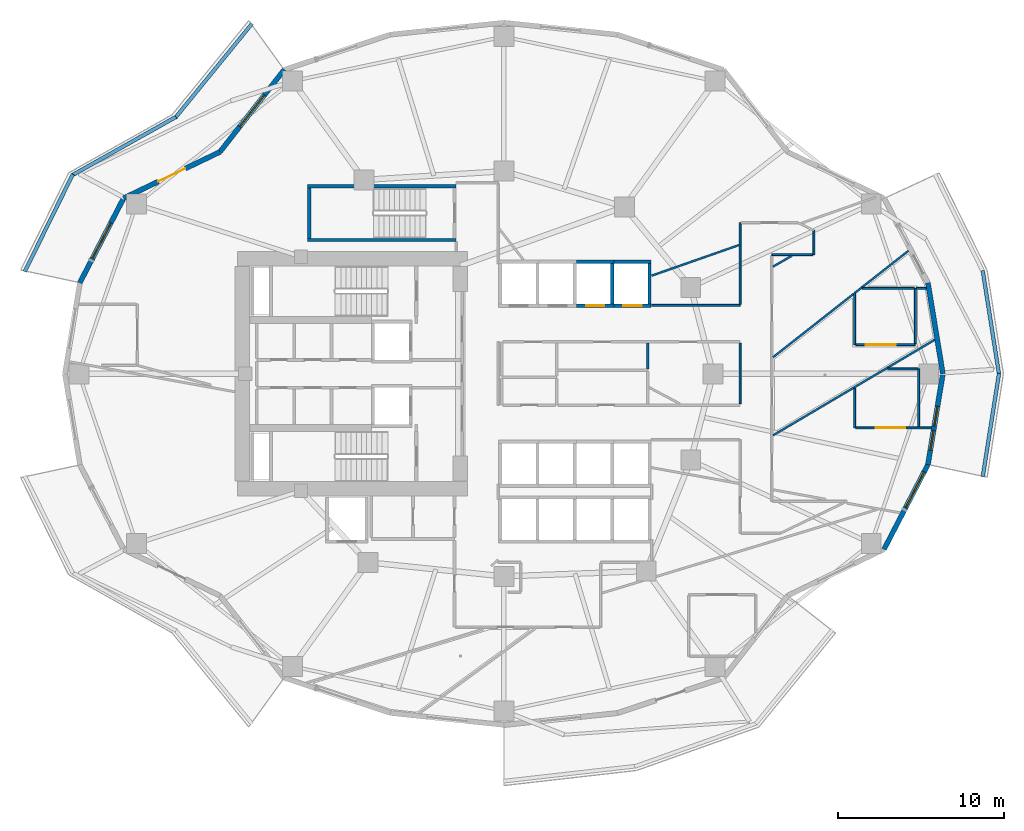
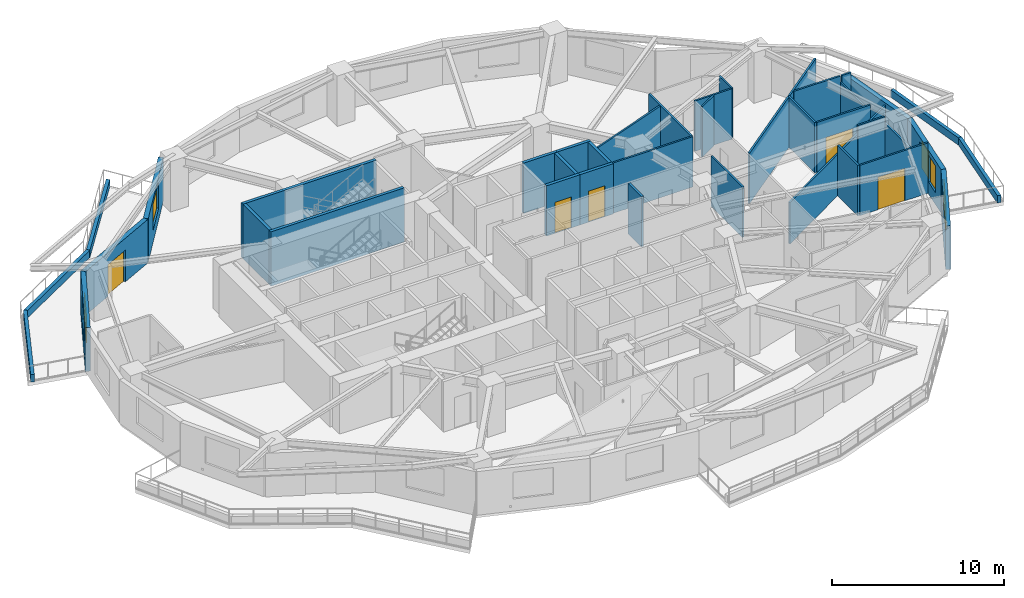
# One storey, part 6 of 15: 40 walls, 5 doors, 5 windows, 10 openings.
"""IFC4 building model written with IfcOpenShell, lengths in metres."""

from ifc_helpers import new_model, si_unit, direction, frame, frame_2d, origin, place, context, subcontext, project, spatial, rectangle, extrude, material, layer, layer_set, type_object, element, fill, save


model = new_model("IFC4")

# Units and contexts
model_context = context("Model", 3, precision=1e-05, world=origin(), true_north=direction((0.0, 1.0)))
body_context = subcontext(model_context, "Body", "Model", "MODEL_VIEW")
ifc_project = project(units=[si_unit("LENGTHUNIT", "METRE"), si_unit("AREAUNIT", "SQUARE_METRE"), si_unit("VOLUMEUNIT", "CUBIC_METRE"), si_unit("PLANEANGLEUNIT", "RADIAN"), si_unit("MASSUNIT", "GRAM", prefix="KILO")], contexts=[model_context])

# Site, building, storey
site_placement = place(None, origin())
site = spatial("IfcSite", under=ifc_project, at=site_placement, CompositionType="ELEMENT")
building_placement = place(site_placement, origin())
building = spatial("IfcBuilding", under=site, at=building_placement, Name="Kolvaren Gate Tower and Convention Centre", CompositionType="ELEMENT")
storey_placement = place(building_placement, frame((0.0, 0.0, 72.699951171875)))
storey = spatial("IfcBuildingStorey", under=building, at=storey_placement, Name="L17", CompositionType="ELEMENT", Elevation=72.699951171875)

# Walls
ifc_material_1 = material(Name="Fire-Rated Acoustic Gypsum Stud Partition", Category="gypsum")
ifc_layer_1 = layer(ifc_material_1, 0.1201171875)
ifc_layer_set_1 = layer_set([ifc_layer_1], Name="Fire-Rated Acoustic Gypsum Stud Partition")
wall_type_1 = type_object("IfcWallType", Name="ARCH-WL-PART-120", PredefinedType="PARTITIONING", material=ifc_layer_set_1)
wall_1_placement = place(storey_placement, frame((39.02001953125, 31.1201171875, 0.0), z_axis=(0.0, 0.0, 1.0), x_axis=(1.0, 0.0, 0.0)))
element("IfcWall", 1, at=wall_1_placement, inside=storey, type_object=wall_type_1, Name="Interior Partition WL-L17-INT-031", PredefinedType="PARTITIONING", context=body_context, shape_type="SweptSolid", body=[
    extrude(rectangle(XDim=5.330078125, YDim=0.1201171875, at=frame_2d((2.6650390625, 0.0))), origin(), (0.0, 0.0, 1.0), 3.570068359375),
])
wall_2_placement = place(storey_placement, frame((44.35009765625, 25.197021484375, 0.0), z_axis=(0.0, 0.0, 1.0), x_axis=(0.0, 1.0, 0.0)))
element("IfcWall", 2, at=wall_2_placement, inside=storey, type_object=wall_type_1, Name="Interior Partition WL-L17-INT-033", PredefinedType="PARTITIONING", context=body_context, shape_type="SweptSolid", body=[
    extrude(rectangle(XDim=3.64599609375, YDim=0.1201171875, at=frame_2d((1.822998046875, 0.0))), origin(), (0.0, 0.0, 1.0), 3.570068359375),
])
wall_3_placement = place(storey_placement, frame((44.35009765625, 31.181884765625, 0.0), z_axis=(0.0, 0.0, 1.0), x_axis=(0.0, 1.0, 0.0)))
element("IfcWall", 3, at=wall_3_placement, inside=storey, type_object=wall_type_1, Name="Interior Partition WL-L17-INT-034", PredefinedType="PARTITIONING", context=body_context, shape_type="SweptSolid", body=[
    extrude(rectangle(XDim=4.918212890625, YDim=0.1201171875, at=frame_2d((2.458984375, 0.0))), origin(), (0.0, 0.0, 1.0), 3.570068359375),
])
wall_4_placement = place(storey_placement, frame((48.800048828125, 34.179931640625, 0.0), z_axis=(0.0, 0.0, 1.0), x_axis=(0.0, 1.0, 0.0)))
element("IfcWall", 4, at=wall_4_placement, inside=storey, type_object=wall_type_1, Name="Interior Partition WL-L17-INT-037", PredefinedType="PARTITIONING", context=body_context, shape_type="SweptSolid", body=[
    extrude(rectangle(XDim=1.451171875, YDim=0.1201171875, at=frame_2d((0.7255859375, 0.0))), origin(), (0.0, 0.0, 1.0), 3.570068359375),
])
wall_5_placement = place(storey_placement, frame((46.27001953125, 34.179931640625, 0.0), z_axis=(0.0, 0.0, 1.0), x_axis=(1.0, 0.0, 0.0)))
element("IfcWall", 5, at=wall_5_placement, inside=storey, type_object=wall_type_1, Name="Interior Partition WL-L17-INT-038", PredefinedType="PARTITIONING", context=body_context, shape_type="SweptSolid", body=[
    extrude(rectangle(XDim=2.468017578125, YDim=0.1201171875, at=frame_2d((1.23388671875, 0.0))), origin(), (0.0, 0.0, 1.0), 3.570068359375),
])
wall_6_placement = place(storey_placement, frame((46.33203125, 23.290283203125, 0.0), z_axis=(0.0, 0.0, 1.0), x_axis=(0.860842745888, 0.508871070953, 0.0)))
element("IfcWall", 6, at=wall_6_placement, inside=storey, type_object=wall_type_1, Name="Interior Partition WL-L17-INT-059", PredefinedType="PARTITIONING", context=body_context, shape_type="SweptSolid", body=[
    extrude(rectangle(XDim=11.31396484375, YDim=0.1201171875, at=frame_2d((5.656982421875, 0.0))), origin(), (0.0, 0.0, 1.0), 2.93408203125),
])
wall_7_placement = place(storey_placement, frame((51.25, 23.75, 0.0), z_axis=(0.0, 0.0, 1.0), x_axis=(0.0, 1.0, 0.0)))
element("IfcWall", 7, at=wall_7_placement, inside=storey, type_object=wall_type_1, Name="Interior Partition WL-L17-INT-060", PredefinedType="PARTITIONING", context=body_context, shape_type="SweptSolid", body=[
    extrude(rectangle(XDim=2.37548828125, YDim=0.1201171875, at=frame_2d((1.187744140625, 0.0))), origin(), (0.0, 0.0, 1.0), 3.570068359375),
])
wall_8_placement = place(storey_placement, frame((51.25, 28.75, 0.0), z_axis=(0.0, 0.0, 1.0), x_axis=(0.0, 1.0, 0.0)))
element("IfcWall", 8, at=wall_8_placement, inside=storey, type_object=wall_type_1, Name="Interior Partition WL-L17-INT-061", PredefinedType="PARTITIONING", context=body_context, shape_type="SweptSolid", body=[
    extrude(rectangle(XDim=3.110107421875, YDim=0.1201171875, at=frame_2d((1.55517578125, 0.0))), origin(), (0.0, 0.0, 1.0), 3.570068359375),
])

# Wall, opening, door
wall_9_placement = place(storey_placement, frame((51.31201171875, 23.75, 0.0), z_axis=(0.0, 0.0, 1.0), x_axis=(1.0, 0.0, 0.0)))
wall_9 = element("IfcWall", 9, at=wall_9_placement, inside=storey, type_object=wall_type_1, Name="Interior Partition WL-L17-INT-062", PredefinedType="PARTITIONING", context=body_context, shape_type="SweptSolid", body=[
    extrude(rectangle(XDim=4.5615234375, YDim=0.1201171875, at=frame_2d((2.28076171875, 0.0))), origin(), (0.0, 0.0, 1.0), 3.570068359375),
])
opening_1_placement = place(wall_9_placement, frame((1.198974609375, 0.0, 0.0)))
opening_1 = element("IfcOpeningElement", 10, at=opening_1_placement, cuts=wall_9, Name="Opening DH-01", PredefinedType="OPENING", context=body_context, shape_type="SweptSolid", body=[
    extrude(rectangle(XDim=1.800048828125, YDim=2.300048828125, at=frame_2d((0.89990234375, 1.14990234375))), frame((0.0, 0.070068359375, 0.0), z_axis=(0.0, -1.0, 0.0), x_axis=(1.0, 0.0, 0.0)), (0.0, 0.0, 1.0), 0.14013671875),
])
ifc_material_2 = material(Name="FSC Andean Oak Engineered Veneer Door Leaf", Category="wood")
door_type_1 = type_object("IfcDoorType", Name="ARCH-DR-HALL-1800", OperationType="DOUBLE_DOOR_SINGLE_SWING", PredefinedType="DOOR", material=ifc_material_2)
door_1_placement = place(opening_1_placement, origin())
door_1 = element("IfcDoor", 11, at=door_1_placement, inside=storey, type_object=door_type_1, Name="Consultation Meeting Room Door", OperationType="DOUBLE_DOOR_SINGLE_SWING", OverallHeight=2.300048828125, OverallWidth=1.800048828125, PredefinedType="DOOR", context=body_context, shape_type="SweptSolid", body=[
    extrude(rectangle(XDim=1.800048828125, YDim=2.300048828125, at=frame_2d((0.89990234375, 1.14990234375))), frame((0.0, 0.02490234375, 0.0), z_axis=(0.0, -1.0, 0.0), x_axis=(1.0, 0.0, 0.0)), (0.0, 0.0, 1.0), 0.050048828125),
])
fill(opening_1, door_1)

# Walls
wall_10_placement = place(storey_placement, frame((55.10009765625, 23.81201171875, 0.0), z_axis=(0.0, 0.0, 1.0), x_axis=(0.0, 1.0, 0.0)))
element("IfcWall", 12, at=wall_10_placement, inside=storey, type_object=wall_type_1, Name="Interior Partition WL-L17-INT-063", PredefinedType="PARTITIONING", context=body_context, shape_type="SweptSolid", body=[
    extrude(rectangle(XDim=3.488037109375, YDim=0.1201171875, at=frame_2d((1.744140625, 0.0))), origin(), (0.0, 0.0, 1.0), 3.093017578125),
])
wall_11_placement = place(storey_placement, frame((53.23681640625, 27.300048828125, 0.0), z_axis=(0.0, 0.0, 1.0), x_axis=(1.0, 0.0, 0.0)))
element("IfcWall", 13, at=wall_11_placement, inside=storey, type_object=wall_type_1, Name="Interior Partition WL-L17-INT-064", PredefinedType="PARTITIONING", context=body_context, shape_type="SweptSolid", body=[
    extrude(rectangle(XDim=1.80126953125, YDim=0.1201171875, at=frame_2d((0.900634765625, 0.0))), origin(), (0.0, 0.0, 1.0), 3.570068359375),
])
wall_12_placement = place(storey_placement, frame((46.33203125, 27.99560546875, 0.0), z_axis=(0.0, 0.0, 1.0), x_axis=(0.786296389823, 0.617849486, 0.0)))
element("IfcWall", 14, at=wall_12_placement, inside=storey, type_object=wall_type_1, Name="Interior Partition WL-L17-INT-066", PredefinedType="PARTITIONING", context=body_context, shape_type="SweptSolid", body=[
    extrude(rectangle(XDim=6.17578125, YDim=0.1201171875, at=frame_2d((3.087890625, 0.0))), origin(), (0.0, 0.0, 1.0), 3.570068359375),
])
wall_13_placement = place(storey_placement, frame((51.25, 31.860107421875, 0.0), z_axis=(0.0, 0.0, 1.0), x_axis=(0.786318338822, 0.617821551932, 0.0)))
element("IfcWall", 15, at=wall_13_placement, inside=storey, type_object=wall_type_1, Name="Interior Partition WL-L17-INT-066 (2)", PredefinedType="PARTITIONING", context=body_context, shape_type="SweptSolid", body=[
    extrude(rectangle(XDim=4.120849609375, YDim=0.1201171875, at=frame_2d((2.060546875, 0.0))), origin(), (0.0, 0.0, 1.0), 3.570068359375),
])

# Wall, opening, door
wall_14_placement = place(storey_placement, frame((51.31201171875, 28.75, 0.0), z_axis=(0.0, 0.0, 1.0), x_axis=(1.0, 0.0, 0.0)))
wall_14 = element("IfcWall", 16, at=wall_14_placement, inside=storey, type_object=wall_type_1, Name="Interior Partition WL-L17-INT-067", PredefinedType="PARTITIONING", context=body_context, shape_type="SweptSolid", body=[
    extrude(rectangle(XDim=3.587890625, YDim=0.1201171875, at=frame_2d((1.7939453125, 0.0))), origin(), (0.0, 0.0, 1.0), 3.570068359375),
])
opening_2_placement = place(wall_14_placement, frame((0.614013671875, 0.0, 0.0)))
opening_2 = element("IfcOpeningElement", 17, at=opening_2_placement, cuts=wall_14, Name="Opening DH-01", PredefinedType="OPENING", context=body_context, shape_type="SweptSolid", body=[
    extrude(rectangle(XDim=1.800048828125, YDim=2.300048828125, at=frame_2d((0.89990234375, 1.14990234375))), frame((0.0, 0.070068359375, 0.0), z_axis=(0.0, -1.0, 0.0), x_axis=(1.0, 0.0, 0.0)), (0.0, 0.0, 1.0), 0.14013671875),
])
door_2_placement = place(opening_2_placement, origin())
door_2 = element("IfcDoor", 18, at=door_2_placement, inside=storey, type_object=door_type_1, Name="Consultation Meeting Room Door", OperationType="DOUBLE_DOOR_SINGLE_SWING", OverallHeight=2.300048828125, OverallWidth=1.800048828125, PredefinedType="DOOR", context=body_context, shape_type="SweptSolid", body=[
    extrude(rectangle(XDim=1.800048828125, YDim=2.300048828125, at=frame_2d((0.89990234375, 1.14990234375))), frame((0.0, 0.02490234375, 0.0), z_axis=(0.0, -1.0, 0.0), x_axis=(1.0, 0.0, 0.0)), (0.0, 0.0, 1.0), 0.050048828125),
])
fill(opening_2, door_2)

# Walls
wall_15_placement = place(storey_placement, frame((54.89990234375, 28.81201171875, 0.0), z_axis=(0.0, 0.0, 1.0), x_axis=(0.0, 1.0, 0.0)))
element("IfcWall", 19, at=wall_15_placement, inside=storey, type_object=wall_type_1, Name="Interior Partition WL-L17-INT-068", PredefinedType="PARTITIONING", context=body_context, shape_type="SweptSolid", body=[
    extrude(rectangle(XDim=3.337890625, YDim=0.1201171875, at=frame_2d((1.6689453125, 0.0))), origin(), (0.0, 0.0, 1.0), 3.093017578125),
])
wall_16_placement = place(storey_placement, frame((51.719482421875, 32.14990234375, 0.0), z_axis=(0.0, 0.0, 1.0), x_axis=(1.0, 0.0, 0.0)))
element("IfcWall", 20, at=wall_16_placement, inside=storey, type_object=wall_type_1, Name="Interior Partition WL-L17-INT-069", PredefinedType="PARTITIONING", context=body_context, shape_type="SweptSolid", body=[
    extrude(rectangle(XDim=3.118408203125, YDim=0.1201171875, at=frame_2d((1.55908203125, 0.0))), origin(), (0.0, 0.0, 1.0), 3.570068359375),
])
wall_17_placement = place(storey_placement, frame((54.9619140625, 32.14990234375, 0.0), z_axis=(0.0, 0.0, 1.0), x_axis=(1.0, 0.0, 0.0)))
element("IfcWall", 21, at=wall_17_placement, inside=storey, type_object=wall_type_1, Name="Interior Partition WL-L17-INT-069 (2)", PredefinedType="PARTITIONING", context=body_context, shape_type="SweptSolid", body=[
    extrude(rectangle(XDim=0.59912109375, YDim=0.1201171875, at=frame_2d((0.299560546875, 0.0))), origin(), (0.0, 0.0, 1.0), 3.570068359375),
])
wall_18_placement = place(storey_placement, frame((46.33203125, 33.44970703125, 0.0), z_axis=(0.0, 0.0, 1.0), x_axis=(0.866042617247, 0.499970184224, 0.0)))
element("IfcWall", 22, at=wall_18_placement, inside=storey, type_object=wall_type_1, Name="Interior Partition WL-L17-INT-070", PredefinedType="PARTITIONING", context=body_context, shape_type="SweptSolid", body=[
    extrude(rectangle(XDim=1.33642578125, YDim=0.1201171875, at=frame_2d((0.668212890625, 0.0))), origin(), (0.0, 0.0, 1.0), 3.570068359375),
])
wall_19_placement = place(storey_placement, frame((39.02001953125, 32.90771484375, 0.0), z_axis=(0.0, 0.0, 1.0), x_axis=(0.943794240421, 0.330533556162, 0.0)))
element("IfcWall", 23, at=wall_19_placement, inside=storey, type_object=wall_type_1, Name="Interior Partition WL-L17-INT-071", PredefinedType="PARTITIONING", context=body_context, shape_type="SweptSolid", body=[
    extrude(rectangle(XDim=5.581787109375, YDim=0.1201171875, at=frame_2d((2.791015625, 0.0))), origin(), (0.0, 0.0, 1.0), 3.570068359375),
])
ifc_material_3 = material(Name="Piedmont Cream Honed Limestone Cladding", Category="masonry")
ifc_layer_2 = layer(ifc_material_3, 0.219970703125)
ifc_layer_set_2 = layer_set([ifc_layer_2], Name="Piedmont Cream Honed Limestone Cladding")
wall_type_2 = type_object("IfcWallType", Name="ARCH-WL-PLANTER-220", PredefinedType="PARAPET", material=ifc_layer_set_2)
wall_20_placement = place(storey_placement, frame((10.335693359375, 42.411376953125, 0.0), z_axis=(0.0, 0.0, 1.0), x_axis=(0.631819273026, 0.775115737315, 0.0)))
element("IfcWall", 24, at=wall_20_placement, inside=storey, type_object=wall_type_2, Name="Vertical-Forest Balcony Stone Planter Kerb PK-L17-1.1", PredefinedType="PARAPET", context=body_context, shape_type="SweptSolid", body=[
    extrude(rectangle(XDim=7.31591796875, YDim=0.219970703125, at=frame_2d((3.657958984375, 0.0))), origin(), (0.0, 0.0, 1.0), 0.52001953125),
])
wall_21_placement = place(storey_placement, frame((4.14697265625, 38.965576171875, 0.0), z_axis=(0.0, 0.0, 1.0), x_axis=(0.871775109335, 0.489906275468, 0.0)))
element("IfcWall", 25, at=wall_21_placement, inside=storey, type_object=wall_type_2, Name="Vertical-Forest Balcony Stone Planter Kerb PK-L17-1.2", PredefinedType="PARAPET", context=body_context, shape_type="SweptSolid", body=[
    extrude(rectangle(XDim=7.152099609375, YDim=0.219970703125, at=frame_2d((3.576171875, 0.0))), origin(), (0.0, 0.0, 1.0), 0.52001953125),
])
wall_22_placement = place(storey_placement, frame((1.275390625, 33.153076171875, 0.0), z_axis=(0.0, 0.0, 1.0), x_axis=(0.442686636348, 0.89667638644, 0.0)))
element("IfcWall", 26, at=wall_22_placement, inside=storey, type_object=wall_type_2, Name="Vertical-Forest Balcony Stone Planter Kerb PK-L17-1.3", PredefinedType="PARAPET", context=body_context, shape_type="SweptSolid", body=[
    extrude(rectangle(XDim=6.544677734375, YDim=0.219970703125, at=frame_2d((3.2724609375, 0.0))), origin(), (0.0, 0.0, 1.0), 0.52001953125),
])
for number, where, z_axis, x_axis, name in (
    (27, (58.9619140625, 20.7880859375, 0.0), (0.0, 0.0, 1.0), (0.15545655238, 0.987842730561, 0.0), "Vertical-Forest Balcony Stone Planter Kerb PK-L17-4.1"),
    (28, (58.9619140625, 33.2119140625, 0.0), (0.0, 0.0, 1.0), (0.15545655238, -0.987842730561, 0.0), "Vertical-Forest Balcony Stone Planter Kerb PK-L17-4.2"),
):
    element("IfcWall", number, at=place(storey_placement, frame(where, z_axis=z_axis, x_axis=x_axis)), inside=storey, type_object=wall_type_2, Name=name, PredefinedType="PARAPET", context=body_context, shape_type="SweptSolid", body=[
        extrude(rectangle(XDim=6.318115234375, YDim=0.219970703125, at=frame_2d((3.1591796875, 0.0))), origin(), (0.0, 0.0, 1.0), 0.52001953125),
    ])
ifc_material_4 = material(Name="Autoclaved Aerated Masonry Blockwork Class 4 (4.0 MPa)", Category="masonry")
ifc_layer_3 = layer(ifc_material_4, 0.199951171875)
ifc_layer_set_3 = layer_set([ifc_layer_3], Name="Autoclaved Aerated Masonry Blockwork Class 4 (4.0 MPa)")
wall_type_3 = type_object("IfcWallType", Name="ARCH-WL-SHAFT-200", PredefinedType="SOLIDWALL", material=ifc_layer_set_3)
wall_23_placement = place(storey_placement, frame((34.5, 33.75, 0.0), z_axis=(0.0, 0.0, 1.0), x_axis=(1.0, 0.0, 0.0)))
element("IfcWall", 29, at=wall_23_placement, inside=storey, type_object=wall_type_3, Name="Elevator PL-03 L17 Fire Shaft Wall N", PredefinedType="SOLIDWALL", context=body_context, shape_type="SweptSolid", body=[
    extrude(rectangle(XDim=2.25, YDim=0.199951171875, at=frame_2d((1.125, 0.0))), origin(), (0.0, 0.0, 1.0), 3.570068359375),
])

# Wall, opening, door
wall_24_placement = place(storey_placement, frame((34.5, 31.10009765625, 0.0), z_axis=(0.0, 0.0, 1.0), x_axis=(1.0, 0.0, 0.0)))
wall_24 = element("IfcWall", 30, at=wall_24_placement, inside=storey, type_object=wall_type_3, Name="Elevator PL-03 L17 Fire Shaft Wall S", PredefinedType="SOLIDWALL", context=body_context, shape_type="SweptSolid", body=[
    extrude(rectangle(XDim=2.25, YDim=0.199951171875, at=frame_2d((1.125, 0.0))), origin(), (0.0, 0.0, 1.0), 3.570068359375),
])
opening_3_placement = place(wall_24_placement, frame((0.574951171875, 0.0, 0.0)))
opening_3 = element("IfcOpeningElement", 31, at=opening_3_placement, cuts=wall_24, Name="Opening LD", PredefinedType="OPENING", context=body_context, shape_type="SweptSolid", body=[
    extrude(rectangle(XDim=1.10009765625, YDim=2.199951171875, at=frame_2d((0.550048828125, 1.10009765625))), frame((0.0, 0.10986328125, 0.0), z_axis=(0.0, -1.0, 0.0), x_axis=(1.0, 0.0, 0.0)), (0.0, 0.0, 1.0), 0.219970703125),
])
ifc_material_5 = material(Name="Brushed Stainless Steel Grade 316L", Category="steel")
door_type_2 = type_object("IfcDoorType", Name="ARCH-DR-LIFT-1100", OperationType="SLIDING_TO_LEFT", PredefinedType="DOOR", material=ifc_material_5)
door_3_placement = place(opening_3_placement, origin())
door_3 = element("IfcDoor", 32, at=door_3_placement, inside=storey, type_object=door_type_2, Name="Elevator PL-03 L17 Sliding Landing Door", OperationType="SLIDING_TO_LEFT", OverallHeight=2.199951171875, OverallWidth=1.10009765625, PredefinedType="DOOR", context=body_context, shape_type="SweptSolid", body=[
    extrude(rectangle(XDim=1.10009765625, YDim=2.199951171875, at=frame_2d((0.550048828125, 1.10009765625))), frame((0.0, 0.02490234375, 0.0), z_axis=(0.0, -1.0, 0.0), x_axis=(1.0, 0.0, 0.0)), (0.0, 0.0, 1.0), 0.050048828125),
])
fill(opening_3, door_3)

# Walls
wall_25_placement = place(storey_placement, frame((36.64990234375, 31.2099609375, 0.0), z_axis=(0.0, 0.0, 1.0), x_axis=(0.0, 1.0, 0.0)))
element("IfcWall", 33, at=wall_25_placement, inside=storey, type_object=wall_type_3, Name="Elevator PL-03 L17 Fire Shaft Wall E", PredefinedType="SOLIDWALL", context=body_context, shape_type="SweptSolid", body=[
    extrude(rectangle(XDim=2.429931640625, YDim=0.199951171875, at=frame_2d((1.21484375, 0.0))), origin(), (0.0, 0.0, 1.0), 3.570068359375),
])
wall_26_placement = place(storey_placement, frame((36.75, 33.75, 0.0), z_axis=(0.0, 0.0, 1.0), x_axis=(1.0, 0.0, 0.0)))
element("IfcWall", 34, at=wall_26_placement, inside=storey, type_object=wall_type_3, Name="Elevator PL-04 L17 Fire Shaft Wall N", PredefinedType="SOLIDWALL", context=body_context, shape_type="SweptSolid", body=[
    extrude(rectangle(XDim=2.25, YDim=0.199951171875, at=frame_2d((1.125, 0.0))), origin(), (0.0, 0.0, 1.0), 3.570068359375),
])

# Wall, opening, door
wall_27_placement = place(storey_placement, frame((36.75, 31.10009765625, 0.0), z_axis=(0.0, 0.0, 1.0), x_axis=(1.0, 0.0, 0.0)))
wall_27 = element("IfcWall", 35, at=wall_27_placement, inside=storey, type_object=wall_type_3, Name="Elevator PL-04 L17 Fire Shaft Wall S", PredefinedType="SOLIDWALL", context=body_context, shape_type="SweptSolid", body=[
    extrude(rectangle(XDim=2.25, YDim=0.199951171875, at=frame_2d((1.125, 0.0))), origin(), (0.0, 0.0, 1.0), 3.570068359375),
])
opening_4_placement = place(wall_27_placement, frame((0.574951171875, 0.0, 0.0)))
opening_4 = element("IfcOpeningElement", 36, at=opening_4_placement, cuts=wall_27, Name="Opening LD", PredefinedType="OPENING", context=body_context, shape_type="SweptSolid", body=[
    extrude(rectangle(XDim=1.10009765625, YDim=2.199951171875, at=frame_2d((0.550048828125, 1.10009765625))), frame((0.0, 0.10986328125, 0.0), z_axis=(0.0, -1.0, 0.0), x_axis=(1.0, 0.0, 0.0)), (0.0, 0.0, 1.0), 0.219970703125),
])
door_4_placement = place(opening_4_placement, origin())
door_4 = element("IfcDoor", 37, at=door_4_placement, inside=storey, type_object=door_type_2, Name="Elevator PL-04 L17 Sliding Landing Door", OperationType="SLIDING_TO_LEFT", OverallHeight=2.199951171875, OverallWidth=1.10009765625, PredefinedType="DOOR", context=body_context, shape_type="SweptSolid", body=[
    extrude(rectangle(XDim=1.10009765625, YDim=2.199951171875, at=frame_2d((0.550048828125, 1.10009765625))), frame((0.0, 0.02490234375, 0.0), z_axis=(0.0, -1.0, 0.0), x_axis=(1.0, 0.0, 0.0)), (0.0, 0.0, 1.0), 0.050048828125),
])
fill(opening_4, door_4)

# Walls
wall_28_placement = place(storey_placement, frame((38.89990234375, 31.2099609375, 0.0), z_axis=(0.0, 0.0, 1.0), x_axis=(0.0, 1.0, 0.0)))
element("IfcWall", 38, at=wall_28_placement, inside=storey, type_object=wall_type_3, Name="Elevator PL-04 L17 Fire Shaft Wall E", PredefinedType="SOLIDWALL", context=body_context, shape_type="SweptSolid", body=[
    extrude(rectangle(XDim=2.429931640625, YDim=0.199951171875, at=frame_2d((1.21484375, 0.0))), origin(), (0.0, 0.0, 1.0), 3.570068359375),
])
ifc_layer_4 = layer(ifc_material_3, 0.300048828125)
ifc_layer_set_4 = layer_set([ifc_layer_4], Name="Piedmont Cream Honed Limestone Cladding")
wall_type_4 = type_object("IfcWallType", Name="ARCH-WL-STONE-300", PredefinedType="SOLIDWALL", material=ifc_layer_set_4)
wall_29_placement = place(storey_placement, frame((55.66162109375, 32.47412109375, 0.0), z_axis=(0.0, 0.0, 1.0), x_axis=(0.162386212206, -0.986727276447, 0.0)))
element("IfcWall", 39, at=wall_29_placement, inside=storey, type_object=wall_type_4, Name="Tower L17 Honed Stone Spandrel Wall EW-00", PredefinedType="SOLIDWALL", context=body_context, shape_type="SweptSolid", body=[
    extrude(rectangle(XDim=5.5478515625, YDim=0.300048828125, at=frame_2d((2.77392578125, 0.0))), origin(), (0.0, 0.0, 1.0), 3.093017578125),
])

# Wall, opening, window
wall_30_placement = place(storey_placement, frame((13.026123046875, 40.360107421875, 0.0), z_axis=(0.0, 0.0, 1.0), x_axis=(0.616434798832, 0.78740595552, 0.0)))
wall_30 = element("IfcWall", 40, at=wall_30_placement, inside=storey, type_object=wall_type_4, Name="Tower L17 Honed Stone Spandrel Wall EW-08", PredefinedType="SOLIDWALL", context=body_context, shape_type="SweptSolid", body=[
    extrude(rectangle(XDim=6.29443359375, YDim=0.300048828125, at=frame_2d((3.147216796875, 0.0))), origin(), (0.0, 0.0, 1.0), 3.093017578125),
])
opening_5_placement = place(wall_30_placement, frame((1.947021484375, 0.0, 0.85009765625)))
opening_5 = element("IfcOpeningElement", 41, at=opening_5_placement, cuts=wall_30, Name="Opening W-01", PredefinedType="OPENING", context=body_context, shape_type="SweptSolid", body=[
    extrude(rectangle(XDim=2.39990234375, YDim=1.89990234375, at=frame_2d((1.199951171875, 0.949951171875))), frame((0.0, 0.159912109375, 0.0), z_axis=(0.0, -1.0, 0.0), x_axis=(1.0, 0.0, 0.0)), (0.0, 0.0, 1.0), 0.320068359375),
])
ifc_material_6 = material(Name="Low-E Triple Insulated Glazing Unit 44 mm", Category="glass")
window_type_1 = type_object("IfcWindowType", Name="ARCH-WN-OFF-2400", PartitioningType="SINGLE_PANEL", PredefinedType="WINDOW", material=ifc_material_6)
window_1_placement = place(opening_5_placement, origin())
window_1 = element("IfcWindow", 42, at=window_1_placement, inside=storey, type_object=window_type_1, Name="Tower L17 Punched Stone Facade Window W-08", OverallHeight=1.89990234375, OverallWidth=2.39990234375, PartitioningType="SINGLE_PANEL", PredefinedType="WINDOW", context=body_context, shape_type="SweptSolid", body=[
    extrude(rectangle(XDim=2.39990234375, YDim=1.89990234375, at=frame_2d((1.199951171875, 0.949951171875))), frame((0.0, 0.030029296875, 0.0), z_axis=(0.0, -1.0, 0.0), x_axis=(1.0, 0.0, 0.0)), (0.0, 0.0, 1.0), 0.06005859375),
])
fill(opening_5, window_1)

# Wall, opening, door
wall_31_placement = place(storey_placement, frame((7.2294921875, 37.574951171875, 0.0), z_axis=(0.0, 0.0, 1.0), x_axis=(0.901354747727, 0.433081538224, 0.0)))
wall_31 = element("IfcWall", 43, at=wall_31_placement, inside=storey, type_object=wall_type_4, Name="Tower L17 Honed Stone Spandrel Wall EW-09", PredefinedType="SOLIDWALL", context=body_context, shape_type="SweptSolid", body=[
    extrude(rectangle(XDim=6.430908203125, YDim=0.300048828125, at=frame_2d((3.21533203125, 0.0))), origin(), (0.0, 0.0, 1.0), 3.093017578125),
])
opening_6_placement = place(wall_31_placement, frame((2.31494140625, 0.0, 0.0)))
opening_6 = element("IfcOpeningElement", 44, at=opening_6_placement, cuts=wall_31, Name="Opening DB-01", PredefinedType="OPENING", context=body_context, shape_type="SweptSolid", body=[
    extrude(rectangle(XDim=1.800048828125, YDim=2.25, at=frame_2d((0.89990234375, 1.125))), frame((0.0, 0.159912109375, 0.0), z_axis=(0.0, -1.0, 0.0), x_axis=(1.0, 0.0, 0.0)), (0.0, 0.0, 1.0), 0.320068359375),
])
ifc_material_7 = material(Name="Anodized Architectural Aluminium Alloy 6063-T6", Category="aluminium")
door_type_3 = type_object("IfcDoorType", Name="ARCH-DR-BALC-1800", OperationType="SLIDING_TO_LEFT", PredefinedType="DOOR", material=ifc_material_7)
door_5_placement = place(opening_6_placement, origin())
door_5 = element("IfcDoor", 45, at=door_5_placement, inside=storey, type_object=door_type_3, Name="Planted Sky Terrace Access Door DB-L17-09", OperationType="SLIDING_TO_LEFT", OverallHeight=2.25, OverallWidth=1.800048828125, PredefinedType="DOOR", context=body_context, shape_type="SweptSolid", body=[
    extrude(rectangle(XDim=1.800048828125, YDim=2.25, at=frame_2d((0.89990234375, 1.125))), frame((0.0, 0.02490234375, 0.0), z_axis=(0.0, -1.0, 0.0), x_axis=(1.0, 0.0, 0.0)), (0.0, 0.0, 1.0), 0.050048828125),
])
fill(opening_6, door_5)

# Wall, opening, window
wall_32_placement = place(storey_placement, frame((4.58837890625, 32.47412109375, 0.0), z_axis=(0.0, 0.0, 1.0), x_axis=(0.459800981414, 0.888021991558, 0.0)))
wall_32 = element("IfcWall", 46, at=wall_32_placement, inside=storey, type_object=wall_type_4, Name="Tower L17 Honed Stone Spandrel Wall EW-10", PredefinedType="SOLIDWALL", context=body_context, shape_type="SweptSolid", body=[
    extrude(rectangle(XDim=5.744140625, YDim=0.300048828125, at=frame_2d((2.8720703125, 0.0))), origin(), (0.0, 0.0, 1.0), 3.093017578125),
])
opening_7_placement = place(wall_32_placement, frame((1.672119140625, 0.0, 0.85009765625)))
opening_7 = element("IfcOpeningElement", 47, at=opening_7_placement, cuts=wall_32, Name="Opening W-01", PredefinedType="OPENING", context=body_context, shape_type="SweptSolid", body=[
    extrude(rectangle(XDim=2.39990234375, YDim=1.89990234375, at=frame_2d((1.199951171875, 0.949951171875))), frame((0.0, 0.159912109375, 0.0), z_axis=(0.0, -1.0, 0.0), x_axis=(1.0, 0.0, 0.0)), (0.0, 0.0, 1.0), 0.320068359375),
])
window_2_placement = place(opening_7_placement, origin())
window_2 = element("IfcWindow", 48, at=window_2_placement, inside=storey, type_object=window_type_1, Name="Tower L17 Punched Stone Facade Window W-10", OverallHeight=1.89990234375, OverallWidth=2.39990234375, PartitioningType="SINGLE_PANEL", PredefinedType="WINDOW", context=body_context, shape_type="SweptSolid", body=[
    extrude(rectangle(XDim=2.39990234375, YDim=1.89990234375, at=frame_2d((1.199951171875, 0.949951171875))), frame((0.0, 0.030029296875, 0.0), z_axis=(0.0, -1.0, 0.0), x_axis=(1.0, 0.0, 0.0)), (0.0, 0.0, 1.0), 0.06005859375),
])
fill(opening_7, window_2)

wall_33_placement = place(storey_placement, frame((53.0205078125, 16.425048828125, 0.0), z_axis=(0.0, 0.0, 1.0), x_axis=(0.459800981414, 0.888021991558, 0.0)))
wall_33 = element("IfcWall", 49, at=wall_33_placement, inside=storey, type_object=wall_type_4, Name="Tower L17 Honed Stone Spandrel Wall EW-22", PredefinedType="SOLIDWALL", context=body_context, shape_type="SweptSolid", body=[
    extrude(rectangle(XDim=5.744140625, YDim=0.300048828125, at=frame_2d((2.8720703125, 0.0))), origin(), (0.0, 0.0, 1.0), 3.093017578125),
])
opening_8_placement = place(wall_33_placement, frame((2.85009765625, 0.0, 0.85009765625)))
opening_8 = element("IfcOpeningElement", 50, at=opening_8_placement, cuts=wall_33, Name="Opening W-01", PredefinedType="OPENING", context=body_context, shape_type="SweptSolid", body=[
    extrude(rectangle(XDim=2.39990234375, YDim=1.89990234375, at=frame_2d((1.199951171875, 0.949951171875))), frame((0.0, 0.159912109375, 0.0), z_axis=(0.0, -1.0, 0.0), x_axis=(1.0, 0.0, 0.0)), (0.0, 0.0, 1.0), 0.320068359375),
])
window_3_placement = place(opening_8_placement, origin())
window_3 = element("IfcWindow", 51, at=window_3_placement, inside=storey, type_object=window_type_1, Name="Tower L17 Punched Stone Facade Window W-22", OverallHeight=1.89990234375, OverallWidth=2.39990234375, PartitioningType="SINGLE_PANEL", PredefinedType="WINDOW", context=body_context, shape_type="SweptSolid", body=[
    extrude(rectangle(XDim=2.39990234375, YDim=1.89990234375, at=frame_2d((1.199951171875, 0.949951171875))), frame((0.0, 0.030029296875, 0.0), z_axis=(0.0, -1.0, 0.0), x_axis=(1.0, 0.0, 0.0)), (0.0, 0.0, 1.0), 0.06005859375),
])
fill(opening_8, window_3)

# Wall, openings, windows
wall_34_placement = place(storey_placement, frame((55.66162109375, 21.52587890625, 0.0), z_axis=(0.0, 0.0, 1.0), x_axis=(0.162386212206, 0.986727276447, 0.0)))
wall_34 = element("IfcWall", 52, at=wall_34_placement, inside=storey, type_object=wall_type_4, Name="Tower L17 Honed Stone Spandrel Wall EW-23", PredefinedType="SOLIDWALL", context=body_context, shape_type="SweptSolid", body=[
    extrude(rectangle(XDim=5.5478515625, YDim=0.300048828125, at=frame_2d((2.77392578125, 0.0))), origin(), (0.0, 0.0, 1.0), 3.093017578125),
])
opening_9_placement = place(wall_34_placement, frame((0.888427734375, 0.0, 0.85009765625)))
opening_9 = element("IfcOpeningElement", 53, at=opening_9_placement, cuts=wall_34, Name="Opening W-04", PredefinedType="OPENING", context=body_context, shape_type="SweptSolid", body=[
    extrude(rectangle(XDim=1.199951171875, YDim=1.89990234375, at=frame_2d((0.60009765625, 0.949951171875))), frame((0.0, 0.159912109375, 0.0), z_axis=(0.0, -1.0, 0.0), x_axis=(1.0, 0.0, 0.0)), (0.0, 0.0, 1.0), 0.320068359375),
])
opening_10_placement = place(wall_34_placement, frame((2.35888671875, 0.0, 0.85009765625)))
opening_10 = element("IfcOpeningElement", 54, at=opening_10_placement, cuts=wall_34, Name="Opening W-04", PredefinedType="OPENING", context=body_context, shape_type="SweptSolid", body=[
    extrude(rectangle(XDim=1.199951171875, YDim=1.89990234375, at=frame_2d((0.60009765625, 0.949951171875))), frame((0.0, 0.159912109375, 0.0), z_axis=(0.0, -1.0, 0.0), x_axis=(1.0, 0.0, 0.0)), (0.0, 0.0, 1.0), 0.320068359375),
])
window_type_2 = type_object("IfcWindowType", Name="ARCH-WN-NARROW-1200", PartitioningType="SINGLE_PANEL", PredefinedType="WINDOW", material=ifc_material_6)
window_4_placement = place(opening_9_placement, origin())
window_4 = element("IfcWindow", 55, at=window_4_placement, inside=storey, type_object=window_type_2, Name="Tower L17 Punched Stone Facade Window W-23", OverallHeight=1.89990234375, OverallWidth=1.199951171875, PartitioningType="SINGLE_PANEL", PredefinedType="WINDOW", context=body_context, shape_type="SweptSolid", body=[
    extrude(rectangle(XDim=1.199951171875, YDim=1.89990234375, at=frame_2d((0.60009765625, 0.949951171875))), frame((0.0, 0.030029296875, 0.0), z_axis=(0.0, -1.0, 0.0), x_axis=(1.0, 0.0, 0.0)), (0.0, 0.0, 1.0), 0.06005859375),
])
fill(opening_9, window_4)
window_5_placement = place(opening_10_placement, origin())
window_5 = element("IfcWindow", 56, at=window_5_placement, inside=storey, type_object=window_type_2, Name="Tower L17 Punched Stone Facade Window W-23B", OverallHeight=1.89990234375, OverallWidth=1.199951171875, PartitioningType="SINGLE_PANEL", PredefinedType="WINDOW", context=body_context, shape_type="SweptSolid", body=[
    extrude(rectangle(XDim=1.199951171875, YDim=1.89990234375, at=frame_2d((0.60009765625, 0.949951171875))), frame((0.0, 0.030029296875, 0.0), z_axis=(0.0, -1.0, 0.0), x_axis=(1.0, 0.0, 0.0)), (0.0, 0.0, 1.0), 0.06005859375),
])
fill(opening_10, window_5)

# Walls
ifc_material_8 = material(Name="Moisture-Resistant Cement-Board Acoustic Partition", Category="gypsum")
ifc_layer_5 = layer(ifc_material_8, 0.14990234375)
ifc_layer_set_5 = layer_set([ifc_layer_5], Name="Moisture-Resistant Cement-Board Acoustic Partition")
wall_type_5 = type_object("IfcWallType", Name="ARCH-WL-WET-150", PredefinedType="PARTITIONING", material=ifc_layer_set_5)
wall_35_placement = place(storey_placement, frame((38.800048828125, 27.297119140625, 0.0), z_axis=(0.0, 0.0, 1.0), x_axis=(0.0, 1.0, 0.0)))
element("IfcWall", 57, at=wall_35_placement, inside=storey, type_object=wall_type_5, Name="Interior Partition WL-L17-INT-021 (2)", PredefinedType="PARTITIONING", context=body_context, shape_type="SweptSolid", body=[
    extrude(rectangle(XDim=1.5458984375, YDim=0.14990234375, at=frame_2d((0.77294921875, 0.0))), origin(), (0.0, 0.0, 1.0), 3.570068359375),
])
ifc_material_9 = material(Name="Concrete C50/60", Category="concrete")
ifc_layer_6 = layer(ifc_material_9, 0.199951171875)
ifc_layer_set_6 = layer_set([ifc_layer_6], Name="Concrete C50/60")
wall_type_6 = type_object("IfcWallType", Name="STR-WL-SHAFT-200", PredefinedType="SHEAR", material=ifc_layer_set_6)
wall_36_placement = place(storey_placement, frame((18.39990234375, 35.159912109375, -0.280029296875), z_axis=(0.0, 0.0, 1.0), x_axis=(0.0, 1.0, 0.0)))
element("IfcWall", 58, at=wall_36_placement, inside=storey, type_object=wall_type_6, Name="Tower Mid-Zone Exit Stair ST-T3 L17 Structural Shear Enclosure Wall FAR", PredefinedType="SHEAR", context=body_context, shape_type="SweptSolid", body=[
    extrude(rectangle(XDim=3.0400390625, YDim=0.199951171875, at=frame_2d((1.52001953125, 0.0))), origin(), (0.0, 0.0, 1.0), 3.85009765625),
])
for number, where, z_axis, x_axis, name in (
    (59, (18.300048828125, 38.300048828125, -0.280029296875), (0.0, 0.0, 1.0), (1.0, 0.0, 0.0), "Tower Mid-Zone Exit Stair ST-T3 L17 Structural Shear Enclosure Wall LEFT"),
    (60, (18.300048828125, 35.06005859375, -0.280029296875), (0.0, 0.0, 1.0), (1.0, 0.0, 0.0), "Tower Mid-Zone Exit Stair ST-T3 L17 Structural Shear Enclosure Wall RGHT"),
):
    element("IfcWall", number, at=place(storey_placement, frame(where, z_axis=z_axis, x_axis=x_axis)), inside=storey, type_object=wall_type_6, Name=name, PredefinedType="SHEAR", context=body_context, shape_type="SweptSolid", body=[
        extrude(rectangle(XDim=8.949951171875, YDim=0.199951171875, at=frame_2d((4.47509765625, 0.0))), origin(), (0.0, 0.0, 1.0), 3.85009765625),
    ])

save(model, "model.ifc")
